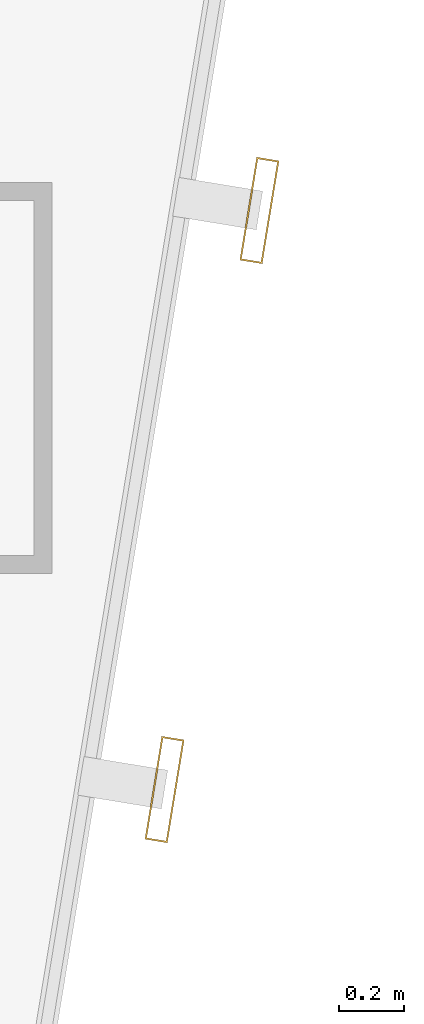
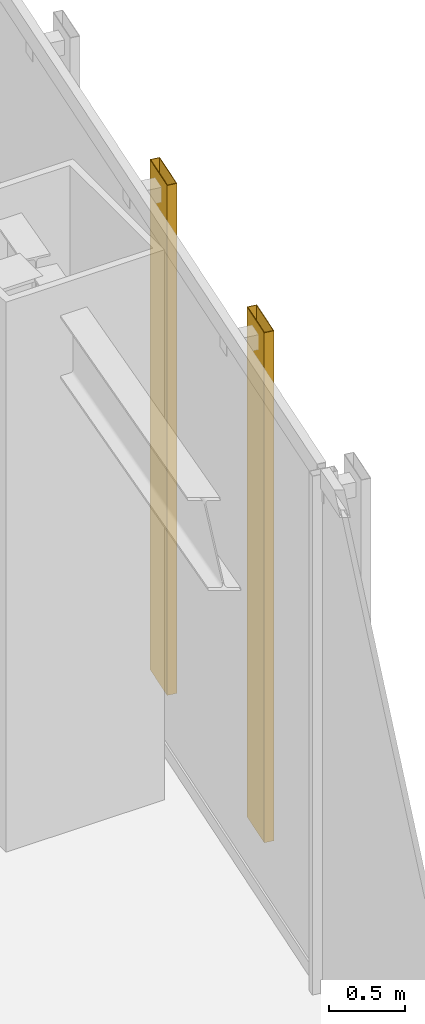
# One storey, part 45 of 47: 2 shading devices.
"""IFC4 building model written with IfcOpenShell, lengths in metres."""

from ifc_helpers import new_model, si_unit, direction, frame, origin, origin_2d, place, context, subcontext, project, spatial, hollow_rectangle, extrude, material, material_profile, profile_set, type_object, element, save


model = new_model("IFC4")

# Units and contexts
model_context = context("Model", 3, precision=1e-05, world=origin(), true_north=direction((0.0, 1.0)))
body_context = subcontext(model_context, "Body", "Model", "MODEL_VIEW")
ifc_project = project(units=[si_unit("LENGTHUNIT", "METRE"), si_unit("AREAUNIT", "SQUARE_METRE"), si_unit("VOLUMEUNIT", "CUBIC_METRE"), si_unit("PLANEANGLEUNIT", "RADIAN"), si_unit("MASSUNIT", "GRAM", prefix="KILO")], contexts=[model_context])

# Site, building, storey
site_placement = place(None, origin())
site = spatial("IfcSite", under=ifc_project, at=site_placement, CompositionType="ELEMENT")
building_placement = place(site_placement, origin())
building = spatial("IfcBuilding", under=site, at=building_placement, Name="Saevonmaru Cultural Tower", CompositionType="ELEMENT")
storey_placement = place(building_placement, frame((0.0, 0.0, 51.60009765625)))
storey = spatial("IfcBuildingStorey", under=building, at=storey_placement, Name="L10", CompositionType="ELEMENT", Elevation=51.60009765625)

# Shading devices
ifc_material = material(Name="Satin Bronze Anodised Aluminium", Category="aluminium")
ifc_material_profile = material_profile(ifc_material, hollow_rectangle(XDim=0.070068359375, YDim=0.320068359375, WallThickness=0.0048828125, at=origin_2d()), Name="FIN-320x70")
ifc_profile_set = profile_set([ifc_material_profile], Name="Satin Bronze Anodised Aluminium")
shading_device_type = type_object("IfcShadingDeviceType", Name="SHD-FIN-320", PredefinedType="JALOUSIE", material=ifc_profile_set)
for number, where, z_axis, x_axis, name in (
    (1, (52.6279296875, 30.737548828125, 0.0498046875), (0.0, 0.0, 1.0), (0.986827496189, -0.161776057456, 0.0), "L10 Art Deco Sawtooth Bronze Fin E8-15"),
    (2, (52.9189453125, 32.513916015625, 0.0498046875), (0.0, 0.0, 1.0), (0.986827496189, -0.161776057456, 0.0), "L10 Art Deco Sawtooth Bronze Fin E8-16"),
):
    element("IfcShadingDevice", number, at=place(storey_placement, frame(where, z_axis=z_axis, x_axis=x_axis)), inside=storey, type_object=shading_device_type, Name=name, PredefinedType="JALOUSIE", context=body_context, shape_type="SweptSolid", body=[
        extrude(hollow_rectangle(XDim=0.070068359375, YDim=0.320068359375, WallThickness=0.0048828125, at=origin_2d()), origin(), (0.0, 0.0, 1.0), 4.080078125),
    ])

save(model, "model.ifc")
